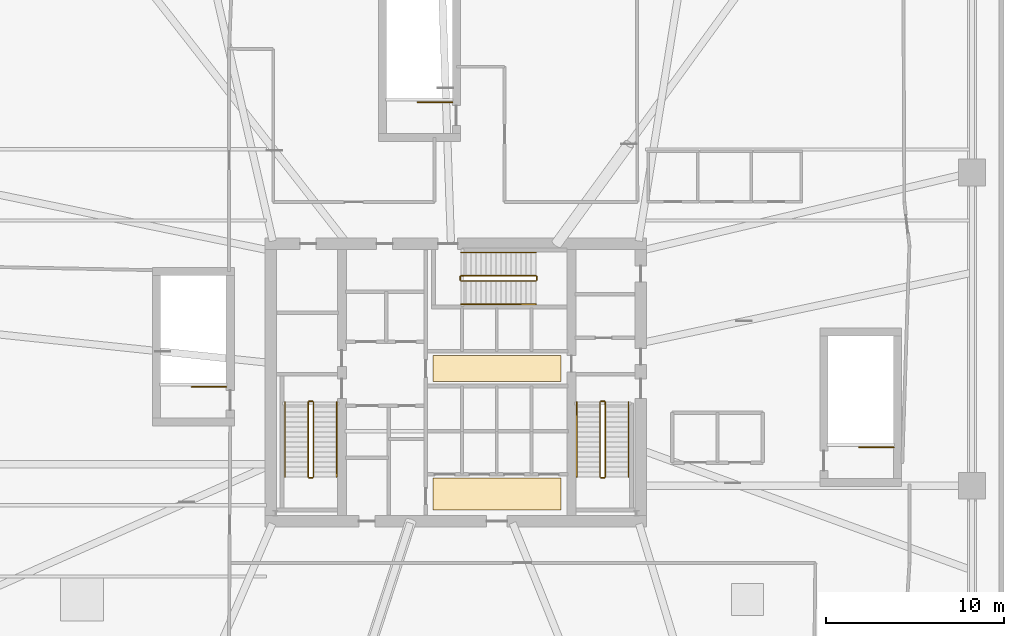
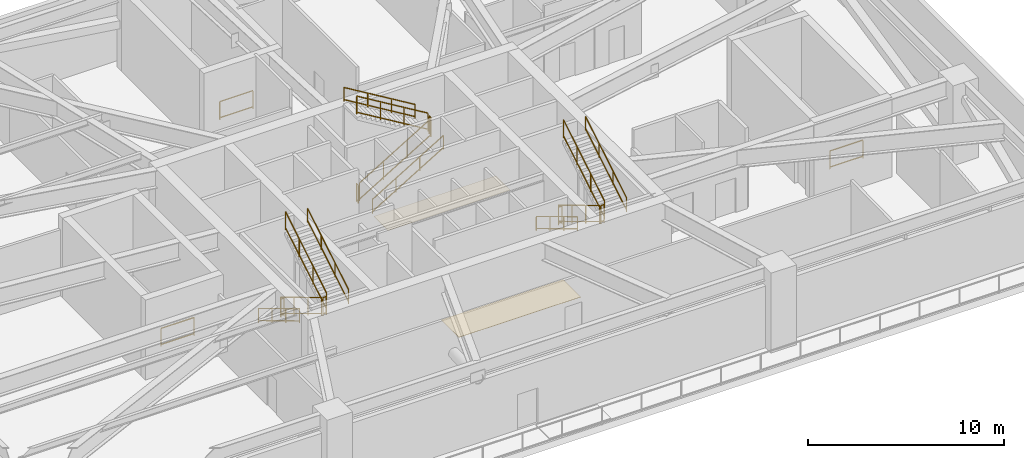
# One storey, part 9 of 10: 21 railings, 2 coverings.
"""IFC4 building model written with IfcOpenShell, lengths in metres."""

from ifc_helpers import new_model, si_unit, direction, frame, origin, origin_2d, place, context, subcontext, project, spatial, rectangle, extrude, material, layer, layer_set, type_object, element, save


model = new_model("IFC4")

# Units and contexts
model_context = context("Model", 3, precision=1e-05, world=origin(), true_north=direction((0.0, 1.0)))
body_context = subcontext(model_context, "Body", "Model", "MODEL_VIEW")
ifc_project = project(units=[si_unit("LENGTHUNIT", "METRE"), si_unit("AREAUNIT", "SQUARE_METRE"), si_unit("VOLUMEUNIT", "CUBIC_METRE"), si_unit("PLANEANGLEUNIT", "RADIAN"), si_unit("MASSUNIT", "GRAM", prefix="KILO")], contexts=[model_context])

# Site, building, storey
site_placement = place(None, origin())
site = spatial("IfcSite", under=ifc_project, at=site_placement, CompositionType="ELEMENT")
building_placement = place(site_placement, origin())
building = spatial("IfcBuilding", under=site, at=building_placement, Name="Qarnah Convention Tower", CompositionType="ELEMENT")
storey_placement = place(building_placement, frame((0.0, 0.0, 21.60009765625)))
storey = spatial("IfcBuildingStorey", under=building, at=storey_placement, Name="L04", CompositionType="ELEMENT", Elevation=21.60009765625)

# Coverings
ifc_material_1 = material(Name="Mineral fibre acoustic ceiling")
ifc_layer_1 = layer(ifc_material_1, 0.02001953125)
ifc_layer_set_1 = layer_set([ifc_layer_1], Name="Mineral fibre acoustic ceiling")
covering_type_1 = type_object("IfcCoveringType", Name="COV-CEIL-20", PredefinedType="CEILING", material=ifc_layer_set_1)
covering_1_placement = place(storey_placement, frame((39.52001953125, 27.179931640625, 2.289794921875), z_axis=(0.0, 0.0, 1.0), x_axis=(1.0, 0.0, 0.0)))
element("IfcCovering", 1, at=covering_1_placement, inside=storey, type_object=covering_type_1, Name="L04 lift lobby acoustic ceiling", PredefinedType="CEILING", context=body_context, shape_type="SweptSolid", body=[
    extrude(rectangle(XDim=7.199951171875, YDim=1.449951171875, at=origin_2d()), origin(), (0.0, 0.0, 1.0), 0.02001953125),
])
ifc_material_2 = material(Name="Porcelain stone floor tile", Category="masonry")
ifc_layer_2 = layer(ifc_material_2, 0.02001953125)
ifc_layer_set_2 = layer_set([ifc_layer_2], Name="Porcelain stone floor tile")
covering_type_2 = type_object("IfcCoveringType", Name="COV-FLOOR-20", PredefinedType="FLOORING", material=ifc_layer_set_2)
covering_2_placement = place(storey_placement, frame((39.52001953125, 20.1201171875, 0.0), z_axis=(0.0, 0.0, 1.0), x_axis=(1.0, 0.0, 0.0)))
element("IfcCovering", 2, at=covering_2_placement, inside=storey, type_object=covering_type_2, Name="L04 lift lobby porcelain stone flooring", PredefinedType="FLOORING", context=body_context, shape_type="SweptSolid", body=[
    extrude(rectangle(XDim=7.199951171875, YDim=1.800048828125, at=origin_2d()), origin(), (0.0, 0.0, 1.0), 0.02001953125),
])

# Railings
ifc_material_3 = material(Name="Structural steel S355JR", Category="steel")
railing_type_1 = type_object("IfcRailingType", Name="RL-STAIR-GUARD-1150", PredefinedType="GUARDRAIL", material=ifc_material_3)
railing_1_placement = place(storey_placement, frame((28.89990234375, 25.300048828125, 0.168701171875)))
element("IfcRailing", 3, at=railing_1_placement, inside=storey, type_object=railing_type_1, Name="L04 ST-1 stair guard 1", PredefinedType="GUARDRAIL", context=body_context, shape_type="SweptSolid", body=[
    extrude(rectangle(XDim=0.048095703125, YDim=0.048095703125, at=origin_2d()), frame((0.0, 0.0, 1.1259765625), z_axis=(0.0, -0.856476492594, 0.516186030065), x_axis=(1.0, 0.0, 0.0)), (0.0, 0.0, 1.0), 4.90380859375),
    extrude(rectangle(XDim=0.048095703125, YDim=0.048095703125, at=origin_2d()), frame((0.0, 0.0, 0.1201171875), z_axis=(0.0, -0.856476492594, 0.516186030065), x_axis=(1.0, 0.0, 0.0)), (0.0, 0.0, 1.0), 4.90380859375),
    extrude(rectangle(XDim=0.0419921875, YDim=0.0419921875, at=origin_2d()), origin(), (0.0, 0.0, 1.0), 1.101806640625),
    extrude(rectangle(XDim=0.0419921875, YDim=0.0419921875, at=origin_2d()), frame((0.0, -1.39990234375, 0.84375)), (0.0, 0.0, 1.0), 1.101806640625),
    extrude(rectangle(XDim=0.0419921875, YDim=0.0419921875, at=origin_2d()), frame((0.0, -2.800048828125, 1.6875)), (0.0, 0.0, 1.0), 1.101806640625),
    extrude(rectangle(XDim=0.0419921875, YDim=0.0419921875, at=origin_2d()), frame((0.0, -4.199951171875, 2.53125)), (0.0, 0.0, 1.0), 1.101806640625),
])
railing_2_placement = place(storey_placement, frame((28.949951171875, 21.050048828125, 2.699951171875)))
element("IfcRailing", 4, at=railing_2_placement, inside=storey, type_object=railing_type_1, Name="L04 ST-1 stair guard 2", PredefinedType="GUARDRAIL", context=body_context, shape_type="SweptSolid", body=[
    extrude(rectangle(XDim=0.048095703125, YDim=0.048095703125, at=origin_2d()), frame((0.0, 0.0, 1.1259765625), z_axis=(1.0, 0.0, 0.0), x_axis=(0.0, 1.0, 0.0)), (0.0, 0.0, 1.0), 0.199951171875),
    extrude(rectangle(XDim=0.048095703125, YDim=0.048095703125, at=origin_2d()), frame((0.0, 0.0, 0.1201171875), z_axis=(1.0, 0.0, 0.0), x_axis=(0.0, 1.0, 0.0)), (0.0, 0.0, 1.0), 0.199951171875),
    extrude(rectangle(XDim=0.0419921875, YDim=0.0419921875, at=origin_2d()), origin(), (0.0, 0.0, 1.0), 1.101806640625),
    extrude(rectangle(XDim=0.0419921875, YDim=0.0419921875, at=origin_2d()), frame((0.199951171875, 0.0, 0.0)), (0.0, 0.0, 1.0), 1.101806640625),
])
railing_3_placement = place(storey_placement, frame((29.199951171875, 21.10009765625, 2.86865234375)))
element("IfcRailing", 5, at=railing_3_placement, inside=storey, type_object=railing_type_1, Name="L04 ST-1 stair guard 3", PredefinedType="GUARDRAIL", context=body_context, shape_type="SweptSolid", body=[
    extrude(rectangle(XDim=0.048095703125, YDim=0.048095703125, at=origin_2d()), frame((0.0, 0.0, 1.1259765625), z_axis=(0.0, 0.856476492594, 0.516186030065), x_axis=(-1.0, 0.0, 0.0)), (0.0, 0.0, 1.0), 4.90380859375),
    extrude(rectangle(XDim=0.048095703125, YDim=0.048095703125, at=origin_2d()), frame((0.0, 0.0, 0.1201171875), z_axis=(0.0, 0.856476492594, 0.516186030065), x_axis=(-1.0, 0.0, 0.0)), (0.0, 0.0, 1.0), 4.90380859375),
    extrude(rectangle(XDim=0.0419921875, YDim=0.0419921875, at=origin_2d()), origin(), (0.0, 0.0, 1.0), 1.101806640625),
    extrude(rectangle(XDim=0.0419921875, YDim=0.0419921875, at=origin_2d()), frame((0.0, 1.39990234375, 0.84375)), (0.0, 0.0, 1.0), 1.101806640625),
    extrude(rectangle(XDim=0.0419921875, YDim=0.0419921875, at=origin_2d()), frame((0.0, 2.800048828125, 1.6875)), (0.0, 0.0, 1.0), 1.101806640625),
    extrude(rectangle(XDim=0.0419921875, YDim=0.0419921875, at=origin_2d()), frame((0.0, 4.199951171875, 2.53125)), (0.0, 0.0, 1.0), 1.101806640625),
])
railing_4_placement = place(storey_placement, frame((28.949951171875, 25.35009765625, 0.0)))
element("IfcRailing", 6, at=railing_4_placement, inside=storey, type_object=railing_type_1, Name="L04 ST-1 stair guard 4", PredefinedType="GUARDRAIL", context=body_context, shape_type="SweptSolid", body=[
    extrude(rectangle(XDim=0.048095703125, YDim=0.048095703125, at=origin_2d()), frame((0.0, 0.0, 1.1259765625), z_axis=(1.0, 0.0, 0.0), x_axis=(0.0, 1.0, 0.0)), (0.0, 0.0, 1.0), 0.199951171875),
    extrude(rectangle(XDim=0.048095703125, YDim=0.048095703125, at=origin_2d()), frame((0.0, 0.0, 0.1201171875), z_axis=(1.0, 0.0, 0.0), x_axis=(0.0, 1.0, 0.0)), (0.0, 0.0, 1.0), 0.199951171875),
    extrude(rectangle(XDim=0.0419921875, YDim=0.0419921875, at=origin_2d()), origin(), (0.0, 0.0, 1.0), 1.101806640625),
    extrude(rectangle(XDim=0.0419921875, YDim=0.0419921875, at=origin_2d()), frame((0.199951171875, 0.0, 0.0)), (0.0, 0.0, 1.0), 1.101806640625),
])
railing_5_placement = place(storey_placement, frame((45.300048828125, 25.300048828125, 0.168701171875)))
element("IfcRailing", 7, at=railing_5_placement, inside=storey, type_object=railing_type_1, Name="L04 ST-2 stair guard 1", PredefinedType="GUARDRAIL", context=body_context, shape_type="SweptSolid", body=[
    extrude(rectangle(XDim=0.048095703125, YDim=0.048095703125, at=origin_2d()), frame((0.0, 0.0, 1.1259765625), z_axis=(0.0, -0.856476492594, 0.516186030065), x_axis=(1.0, 0.0, 0.0)), (0.0, 0.0, 1.0), 4.90380859375),
    extrude(rectangle(XDim=0.048095703125, YDim=0.048095703125, at=origin_2d()), frame((0.0, 0.0, 0.1201171875), z_axis=(0.0, -0.856476492594, 0.516186030065), x_axis=(1.0, 0.0, 0.0)), (0.0, 0.0, 1.0), 4.90380859375),
    extrude(rectangle(XDim=0.0419921875, YDim=0.0419921875, at=origin_2d()), origin(), (0.0, 0.0, 1.0), 1.101806640625),
    extrude(rectangle(XDim=0.0419921875, YDim=0.0419921875, at=origin_2d()), frame((0.0, -1.39990234375, 0.84375)), (0.0, 0.0, 1.0), 1.101806640625),
    extrude(rectangle(XDim=0.0419921875, YDim=0.0419921875, at=origin_2d()), frame((0.0, -2.800048828125, 1.6875)), (0.0, 0.0, 1.0), 1.101806640625),
    extrude(rectangle(XDim=0.0419921875, YDim=0.0419921875, at=origin_2d()), frame((0.0, -4.199951171875, 2.53125)), (0.0, 0.0, 1.0), 1.101806640625),
])
railing_6_placement = place(storey_placement, frame((45.35009765625, 21.050048828125, 2.699951171875)))
element("IfcRailing", 8, at=railing_6_placement, inside=storey, type_object=railing_type_1, Name="L04 ST-2 stair guard 2", PredefinedType="GUARDRAIL", context=body_context, shape_type="SweptSolid", body=[
    extrude(rectangle(XDim=0.048095703125, YDim=0.048095703125, at=origin_2d()), frame((0.0, 0.0, 1.1259765625), z_axis=(1.0, 0.0, 0.0), x_axis=(0.0, 1.0, 0.0)), (0.0, 0.0, 1.0), 0.199951171875),
    extrude(rectangle(XDim=0.048095703125, YDim=0.048095703125, at=origin_2d()), frame((0.0, 0.0, 0.1201171875), z_axis=(1.0, 0.0, 0.0), x_axis=(0.0, 1.0, 0.0)), (0.0, 0.0, 1.0), 0.199951171875),
    extrude(rectangle(XDim=0.0419921875, YDim=0.0419921875, at=origin_2d()), origin(), (0.0, 0.0, 1.0), 1.101806640625),
    extrude(rectangle(XDim=0.0419921875, YDim=0.0419921875, at=origin_2d()), frame((0.199951171875, 0.0, 0.0)), (0.0, 0.0, 1.0), 1.101806640625),
])
railing_7_placement = place(storey_placement, frame((45.60009765625, 21.10009765625, 2.86865234375)))
element("IfcRailing", 9, at=railing_7_placement, inside=storey, type_object=railing_type_1, Name="L04 ST-2 stair guard 3", PredefinedType="GUARDRAIL", context=body_context, shape_type="SweptSolid", body=[
    extrude(rectangle(XDim=0.048095703125, YDim=0.048095703125, at=origin_2d()), frame((0.0, 0.0, 1.1259765625), z_axis=(0.0, 0.856476492594, 0.516186030065), x_axis=(-1.0, 0.0, 0.0)), (0.0, 0.0, 1.0), 4.90380859375),
    extrude(rectangle(XDim=0.048095703125, YDim=0.048095703125, at=origin_2d()), frame((0.0, 0.0, 0.1201171875), z_axis=(0.0, 0.856476492594, 0.516186030065), x_axis=(-1.0, 0.0, 0.0)), (0.0, 0.0, 1.0), 4.90380859375),
    extrude(rectangle(XDim=0.0419921875, YDim=0.0419921875, at=origin_2d()), origin(), (0.0, 0.0, 1.0), 1.101806640625),
    extrude(rectangle(XDim=0.0419921875, YDim=0.0419921875, at=origin_2d()), frame((0.0, 1.39990234375, 0.84375)), (0.0, 0.0, 1.0), 1.101806640625),
    extrude(rectangle(XDim=0.0419921875, YDim=0.0419921875, at=origin_2d()), frame((0.0, 2.800048828125, 1.6875)), (0.0, 0.0, 1.0), 1.101806640625),
    extrude(rectangle(XDim=0.0419921875, YDim=0.0419921875, at=origin_2d()), frame((0.0, 4.199951171875, 2.53125)), (0.0, 0.0, 1.0), 1.101806640625),
])
railing_8_placement = place(storey_placement, frame((45.35009765625, 25.35009765625, 0.0)))
element("IfcRailing", 10, at=railing_8_placement, inside=storey, type_object=railing_type_1, Name="L04 ST-2 stair guard 4", PredefinedType="GUARDRAIL", context=body_context, shape_type="SweptSolid", body=[
    extrude(rectangle(XDim=0.048095703125, YDim=0.048095703125, at=origin_2d()), frame((0.0, 0.0, 1.1259765625), z_axis=(1.0, 0.0, 0.0), x_axis=(0.0, 1.0, 0.0)), (0.0, 0.0, 1.0), 0.199951171875),
    extrude(rectangle(XDim=0.048095703125, YDim=0.048095703125, at=origin_2d()), frame((0.0, 0.0, 0.1201171875), z_axis=(1.0, 0.0, 0.0), x_axis=(0.0, 1.0, 0.0)), (0.0, 0.0, 1.0), 0.199951171875),
    extrude(rectangle(XDim=0.0419921875, YDim=0.0419921875, at=origin_2d()), origin(), (0.0, 0.0, 1.0), 1.101806640625),
    extrude(rectangle(XDim=0.0419921875, YDim=0.0419921875, at=origin_2d()), frame((0.199951171875, 0.0, 0.0)), (0.0, 0.0, 1.0), 1.101806640625),
])
railing_9_placement = place(storey_placement, frame((37.5, 32.10009765625, 0.168701171875)))
element("IfcRailing", 11, at=railing_9_placement, inside=storey, type_object=railing_type_1, Name="L04 ST-3 stair guard 1", PredefinedType="GUARDRAIL", context=body_context, shape_type="SweptSolid", body=[
    extrude(rectangle(XDim=0.048095703125, YDim=0.048095703125, at=origin_2d()), frame((0.0, 0.0, 1.1259765625), z_axis=(0.856476492594, 0.0, 0.516186030065), x_axis=(0.0, 1.0, 0.0)), (0.0, 0.0, 1.0), 4.90380859375),
    extrude(rectangle(XDim=0.048095703125, YDim=0.048095703125, at=origin_2d()), frame((0.0, 0.0, 0.1201171875), z_axis=(0.856476492594, 0.0, 0.516186030065), x_axis=(0.0, 1.0, 0.0)), (0.0, 0.0, 1.0), 4.90380859375),
    extrude(rectangle(XDim=0.0419921875, YDim=0.0419921875, at=origin_2d()), origin(), (0.0, 0.0, 1.0), 1.101806640625),
    extrude(rectangle(XDim=0.0419921875, YDim=0.0419921875, at=origin_2d()), frame((1.39990234375, 0.0, 0.84375)), (0.0, 0.0, 1.0), 1.101806640625),
    extrude(rectangle(XDim=0.0419921875, YDim=0.0419921875, at=origin_2d()), frame((2.800048828125, 0.0, 1.6875)), (0.0, 0.0, 1.0), 1.101806640625),
    extrude(rectangle(XDim=0.0419921875, YDim=0.0419921875, at=origin_2d()), frame((4.199951171875, 0.0, 2.53125)), (0.0, 0.0, 1.0), 1.101806640625),
])
railing_10_placement = place(storey_placement, frame((41.75, 32.14990234375, 2.699951171875)))
element("IfcRailing", 12, at=railing_10_placement, inside=storey, type_object=railing_type_1, Name="L04 ST-3 stair guard 2", PredefinedType="GUARDRAIL", context=body_context, shape_type="SweptSolid", body=[
    extrude(rectangle(XDim=0.048095703125, YDim=0.048095703125, at=origin_2d()), frame((0.0, 0.0, 1.1259765625), z_axis=(0.0, 1.0, 0.0), x_axis=(-1.0, 0.0, 0.0)), (0.0, 0.0, 1.0), 0.2001953125),
    extrude(rectangle(XDim=0.048095703125, YDim=0.048095703125, at=origin_2d()), frame((0.0, 0.0, 0.1201171875), z_axis=(0.0, 1.0, 0.0), x_axis=(-1.0, 0.0, 0.0)), (0.0, 0.0, 1.0), 0.2001953125),
    extrude(rectangle(XDim=0.0419921875, YDim=0.0419921875, at=origin_2d()), origin(), (0.0, 0.0, 1.0), 1.101806640625),
    extrude(rectangle(XDim=0.0419921875, YDim=0.0419921875, at=origin_2d()), frame((0.0, 0.2001953125, 0.0)), (0.0, 0.0, 1.0), 1.101806640625),
])
railing_11_placement = place(storey_placement, frame((41.699951171875, 32.39990234375, 2.86865234375)))
element("IfcRailing", 13, at=railing_11_placement, inside=storey, type_object=railing_type_1, Name="L04 ST-3 stair guard 3", PredefinedType="GUARDRAIL", context=body_context, shape_type="SweptSolid", body=[
    extrude(rectangle(XDim=0.048095703125, YDim=0.048095703125, at=origin_2d()), frame((0.0, 0.0, 1.1259765625), z_axis=(-0.856476492594, 0.0, 0.516186030065), x_axis=(0.0, -1.0, 0.0)), (0.0, 0.0, 1.0), 4.90380859375),
    extrude(rectangle(XDim=0.048095703125, YDim=0.048095703125, at=origin_2d()), frame((0.0, 0.0, 0.1201171875), z_axis=(-0.856476492594, 0.0, 0.516186030065), x_axis=(0.0, -1.0, 0.0)), (0.0, 0.0, 1.0), 4.90380859375),
    extrude(rectangle(XDim=0.0419921875, YDim=0.0419921875, at=origin_2d()), origin(), (0.0, 0.0, 1.0), 1.101806640625),
    extrude(rectangle(XDim=0.0419921875, YDim=0.0419921875, at=origin_2d()), frame((-1.39990234375, 0.0, 0.84375)), (0.0, 0.0, 1.0), 1.101806640625),
    extrude(rectangle(XDim=0.0419921875, YDim=0.0419921875, at=origin_2d()), frame((-2.800048828125, 0.0, 1.6875)), (0.0, 0.0, 1.0), 1.101806640625),
    extrude(rectangle(XDim=0.0419921875, YDim=0.0419921875, at=origin_2d()), frame((-4.199951171875, 0.0, 2.53125)), (0.0, 0.0, 1.0), 1.101806640625),
])
railing_12_placement = place(storey_placement, frame((37.449951171875, 32.14990234375, 0.0)))
element("IfcRailing", 14, at=railing_12_placement, inside=storey, type_object=railing_type_1, Name="L04 ST-3 stair guard 4", PredefinedType="GUARDRAIL", context=body_context, shape_type="SweptSolid", body=[
    extrude(rectangle(XDim=0.048095703125, YDim=0.048095703125, at=origin_2d()), frame((0.0, 0.0, 1.1259765625), z_axis=(0.0, 1.0, 0.0), x_axis=(-1.0, 0.0, 0.0)), (0.0, 0.0, 1.0), 0.2001953125),
    extrude(rectangle(XDim=0.048095703125, YDim=0.048095703125, at=origin_2d()), frame((0.0, 0.0, 0.1201171875), z_axis=(0.0, 1.0, 0.0), x_axis=(-1.0, 0.0, 0.0)), (0.0, 0.0, 1.0), 0.2001953125),
    extrude(rectangle(XDim=0.0419921875, YDim=0.0419921875, at=origin_2d()), origin(), (0.0, 0.0, 1.0), 1.101806640625),
    extrude(rectangle(XDim=0.0419921875, YDim=0.0419921875, at=origin_2d()), frame((0.0, 0.2001953125, 0.0)), (0.0, 0.0, 1.0), 1.101806640625),
])
for number, where, name in (
    (15, (61.800048828125, 22.75, 0.0), "L04 ST-4 top well guard 1"),
    (16, (24.300048828125, 26.14990234375, 0.0), "L04 ST-5 top well guard 1"),
    (17, (37.0, 42.14990234375, 0.0), "L04 ST-6 top well guard 1"),
):
    element("IfcRailing", number, at=place(storey_placement, frame(where)), inside=storey, type_object=railing_type_1, Name=name, PredefinedType="GUARDRAIL", context=body_context, shape_type="SweptSolid", body=[
        extrude(rectangle(XDim=0.048095703125, YDim=0.048095703125, at=origin_2d()), frame((0.0, 0.0, 1.1259765625), z_axis=(-1.0, 0.0, 0.0), x_axis=(0.0, -1.0, 0.0)), (0.0, 0.0, 1.0), 1.949951171875),
        extrude(rectangle(XDim=0.048095703125, YDim=0.048095703125, at=origin_2d()), frame((0.0, 0.0, 0.1201171875), z_axis=(-1.0, 0.0, 0.0), x_axis=(0.0, -1.0, 0.0)), (0.0, 0.0, 1.0), 1.949951171875),
        extrude(rectangle(XDim=0.0419921875, YDim=0.0419921875, at=origin_2d()), origin(), (0.0, 0.0, 1.0), 1.101806640625),
        extrude(rectangle(XDim=0.0419921875, YDim=0.0419921875, at=origin_2d()), frame((-1.949951171875, 0.0, 0.0)), (0.0, 0.0, 1.0), 1.101806640625),
    ])
railing_type_2 = type_object("IfcRailingType", Name="RL-STAIR-HAND-900", PredefinedType="HANDRAIL", material=ifc_material_3)
railing_13_placement = place(storey_placement, frame((27.60009765625, 25.300048828125, 0.168701171875)))
element("IfcRailing", 18, at=railing_13_placement, inside=storey, type_object=railing_type_2, Name="L04 ST-1 stair handrail 1", PredefinedType="HANDRAIL", context=body_context, shape_type="SweptSolid", body=[
    extrude(rectangle(XDim=0.048095703125, YDim=0.048095703125, at=origin_2d()), frame((0.0, 0.0, 0.8759765625), z_axis=(0.0, -0.856476492594, 0.516186030065), x_axis=(1.0, 0.0, 0.0)), (0.0, 0.0, 1.0), 4.90380859375),
    extrude(rectangle(XDim=0.048095703125, YDim=0.048095703125, at=origin_2d()), frame((0.0, 0.0, 0.1201171875), z_axis=(0.0, -0.856476492594, 0.516186030065), x_axis=(1.0, 0.0, 0.0)), (0.0, 0.0, 1.0), 4.90380859375),
    extrude(rectangle(XDim=0.0419921875, YDim=0.0419921875, at=origin_2d()), origin(), (0.0, 0.0, 1.0), 0.851806640625),
    extrude(rectangle(XDim=0.0419921875, YDim=0.0419921875, at=origin_2d()), frame((0.0, -1.39990234375, 0.84375)), (0.0, 0.0, 1.0), 0.851806640625),
    extrude(rectangle(XDim=0.0419921875, YDim=0.0419921875, at=origin_2d()), frame((0.0, -2.800048828125, 1.6875)), (0.0, 0.0, 1.0), 0.851806640625),
    extrude(rectangle(XDim=0.0419921875, YDim=0.0419921875, at=origin_2d()), frame((0.0, -4.199951171875, 2.53125)), (0.0, 0.0, 1.0), 0.851806640625),
])
railing_14_placement = place(storey_placement, frame((30.5, 21.10009765625, 2.86865234375)))
element("IfcRailing", 19, at=railing_14_placement, inside=storey, type_object=railing_type_2, Name="L04 ST-1 stair handrail 2", PredefinedType="HANDRAIL", context=body_context, shape_type="SweptSolid", body=[
    extrude(rectangle(XDim=0.048095703125, YDim=0.048095703125, at=origin_2d()), frame((0.0, 0.0, 0.8759765625), z_axis=(0.0, 0.856476492594, 0.516186030065), x_axis=(-1.0, 0.0, 0.0)), (0.0, 0.0, 1.0), 4.90380859375),
    extrude(rectangle(XDim=0.048095703125, YDim=0.048095703125, at=origin_2d()), frame((0.0, 0.0, 0.1201171875), z_axis=(0.0, 0.856476492594, 0.516186030065), x_axis=(-1.0, 0.0, 0.0)), (0.0, 0.0, 1.0), 4.90380859375),
    extrude(rectangle(XDim=0.0419921875, YDim=0.0419921875, at=origin_2d()), origin(), (0.0, 0.0, 1.0), 0.851806640625),
    extrude(rectangle(XDim=0.0419921875, YDim=0.0419921875, at=origin_2d()), frame((0.0, 1.39990234375, 0.84375)), (0.0, 0.0, 1.0), 0.851806640625),
    extrude(rectangle(XDim=0.0419921875, YDim=0.0419921875, at=origin_2d()), frame((0.0, 2.800048828125, 1.6875)), (0.0, 0.0, 1.0), 0.851806640625),
    extrude(rectangle(XDim=0.0419921875, YDim=0.0419921875, at=origin_2d()), frame((0.0, 4.199951171875, 2.53125)), (0.0, 0.0, 1.0), 0.851806640625),
])
railing_15_placement = place(storey_placement, frame((44.0, 25.300048828125, 0.168701171875)))
element("IfcRailing", 20, at=railing_15_placement, inside=storey, type_object=railing_type_2, Name="L04 ST-2 stair handrail 1", PredefinedType="HANDRAIL", context=body_context, shape_type="SweptSolid", body=[
    extrude(rectangle(XDim=0.048095703125, YDim=0.048095703125, at=origin_2d()), frame((0.0, 0.0, 0.8759765625), z_axis=(0.0, -0.856476492594, 0.516186030065), x_axis=(1.0, 0.0, 0.0)), (0.0, 0.0, 1.0), 4.90380859375),
    extrude(rectangle(XDim=0.048095703125, YDim=0.048095703125, at=origin_2d()), frame((0.0, 0.0, 0.1201171875), z_axis=(0.0, -0.856476492594, 0.516186030065), x_axis=(1.0, 0.0, 0.0)), (0.0, 0.0, 1.0), 4.90380859375),
    extrude(rectangle(XDim=0.0419921875, YDim=0.0419921875, at=origin_2d()), origin(), (0.0, 0.0, 1.0), 0.851806640625),
    extrude(rectangle(XDim=0.0419921875, YDim=0.0419921875, at=origin_2d()), frame((0.0, -1.39990234375, 0.84375)), (0.0, 0.0, 1.0), 0.851806640625),
    extrude(rectangle(XDim=0.0419921875, YDim=0.0419921875, at=origin_2d()), frame((0.0, -2.800048828125, 1.6875)), (0.0, 0.0, 1.0), 0.851806640625),
    extrude(rectangle(XDim=0.0419921875, YDim=0.0419921875, at=origin_2d()), frame((0.0, -4.199951171875, 2.53125)), (0.0, 0.0, 1.0), 0.851806640625),
])
railing_16_placement = place(storey_placement, frame((46.89990234375, 21.10009765625, 2.86865234375)))
element("IfcRailing", 21, at=railing_16_placement, inside=storey, type_object=railing_type_2, Name="L04 ST-2 stair handrail 2", PredefinedType="HANDRAIL", context=body_context, shape_type="SweptSolid", body=[
    extrude(rectangle(XDim=0.048095703125, YDim=0.048095703125, at=origin_2d()), frame((0.0, 0.0, 0.8759765625), z_axis=(0.0, 0.856476492594, 0.516186030065), x_axis=(-1.0, 0.0, 0.0)), (0.0, 0.0, 1.0), 4.90380859375),
    extrude(rectangle(XDim=0.048095703125, YDim=0.048095703125, at=origin_2d()), frame((0.0, 0.0, 0.1201171875), z_axis=(0.0, 0.856476492594, 0.516186030065), x_axis=(-1.0, 0.0, 0.0)), (0.0, 0.0, 1.0), 4.90380859375),
    extrude(rectangle(XDim=0.0419921875, YDim=0.0419921875, at=origin_2d()), origin(), (0.0, 0.0, 1.0), 0.851806640625),
    extrude(rectangle(XDim=0.0419921875, YDim=0.0419921875, at=origin_2d()), frame((0.0, 1.39990234375, 0.84375)), (0.0, 0.0, 1.0), 0.851806640625),
    extrude(rectangle(XDim=0.0419921875, YDim=0.0419921875, at=origin_2d()), frame((0.0, 2.800048828125, 1.6875)), (0.0, 0.0, 1.0), 0.851806640625),
    extrude(rectangle(XDim=0.0419921875, YDim=0.0419921875, at=origin_2d()), frame((0.0, 4.199951171875, 2.53125)), (0.0, 0.0, 1.0), 0.851806640625),
])
railing_17_placement = place(storey_placement, frame((37.5, 30.800048828125, 0.168701171875)))
element("IfcRailing", 22, at=railing_17_placement, inside=storey, type_object=railing_type_2, Name="L04 ST-3 stair handrail 1", PredefinedType="HANDRAIL", context=body_context, shape_type="SweptSolid", body=[
    extrude(rectangle(XDim=0.048095703125, YDim=0.048095703125, at=origin_2d()), frame((0.0, 0.0, 0.8759765625), z_axis=(0.856476492594, 0.0, 0.516186030065), x_axis=(0.0, 1.0, 0.0)), (0.0, 0.0, 1.0), 4.90380859375),
    extrude(rectangle(XDim=0.048095703125, YDim=0.048095703125, at=origin_2d()), frame((0.0, 0.0, 0.1201171875), z_axis=(0.856476492594, 0.0, 0.516186030065), x_axis=(0.0, 1.0, 0.0)), (0.0, 0.0, 1.0), 4.90380859375),
    extrude(rectangle(XDim=0.0419921875, YDim=0.0419921875, at=origin_2d()), origin(), (0.0, 0.0, 1.0), 0.851806640625),
    extrude(rectangle(XDim=0.0419921875, YDim=0.0419921875, at=origin_2d()), frame((1.39990234375, 0.0, 0.84375)), (0.0, 0.0, 1.0), 0.851806640625),
    extrude(rectangle(XDim=0.0419921875, YDim=0.0419921875, at=origin_2d()), frame((2.800048828125, 0.0, 1.6875)), (0.0, 0.0, 1.0), 0.851806640625),
    extrude(rectangle(XDim=0.0419921875, YDim=0.0419921875, at=origin_2d()), frame((4.199951171875, 0.0, 2.53125)), (0.0, 0.0, 1.0), 0.851806640625),
])
railing_18_placement = place(storey_placement, frame((41.699951171875, 33.699951171875, 2.86865234375)))
element("IfcRailing", 23, at=railing_18_placement, inside=storey, type_object=railing_type_2, Name="L04 ST-3 stair handrail 2", PredefinedType="HANDRAIL", context=body_context, shape_type="SweptSolid", body=[
    extrude(rectangle(XDim=0.048095703125, YDim=0.048095703125, at=origin_2d()), frame((0.0, 0.0, 0.8759765625), z_axis=(-0.856476492594, 0.0, 0.516186030065), x_axis=(0.0, -1.0, 0.0)), (0.0, 0.0, 1.0), 4.90380859375),
    extrude(rectangle(XDim=0.048095703125, YDim=0.048095703125, at=origin_2d()), frame((0.0, 0.0, 0.1201171875), z_axis=(-0.856476492594, 0.0, 0.516186030065), x_axis=(0.0, -1.0, 0.0)), (0.0, 0.0, 1.0), 4.90380859375),
    extrude(rectangle(XDim=0.0419921875, YDim=0.0419921875, at=origin_2d()), origin(), (0.0, 0.0, 1.0), 0.851806640625),
    extrude(rectangle(XDim=0.0419921875, YDim=0.0419921875, at=origin_2d()), frame((-1.39990234375, 0.0, 0.84375)), (0.0, 0.0, 1.0), 0.851806640625),
    extrude(rectangle(XDim=0.0419921875, YDim=0.0419921875, at=origin_2d()), frame((-2.800048828125, 0.0, 1.6875)), (0.0, 0.0, 1.0), 0.851806640625),
    extrude(rectangle(XDim=0.0419921875, YDim=0.0419921875, at=origin_2d()), frame((-4.199951171875, 0.0, 2.53125)), (0.0, 0.0, 1.0), 0.851806640625),
])

save(model, "model.ifc")
